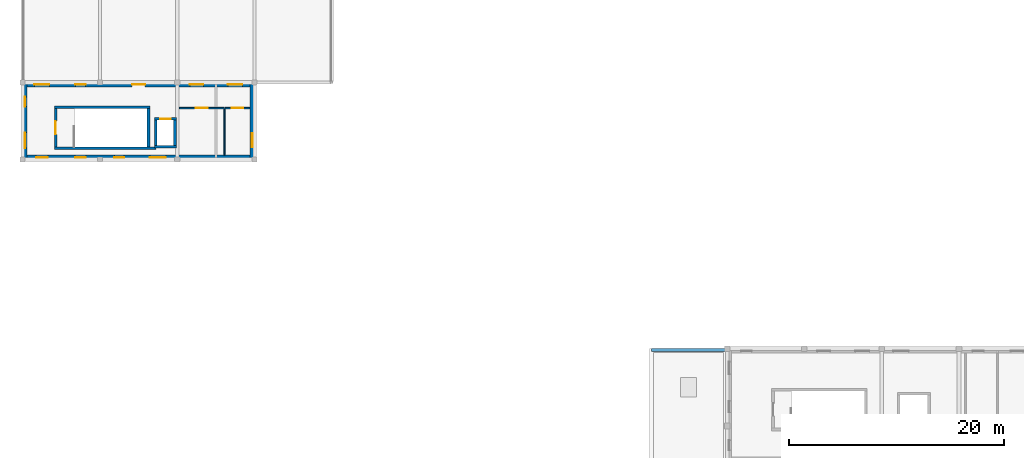
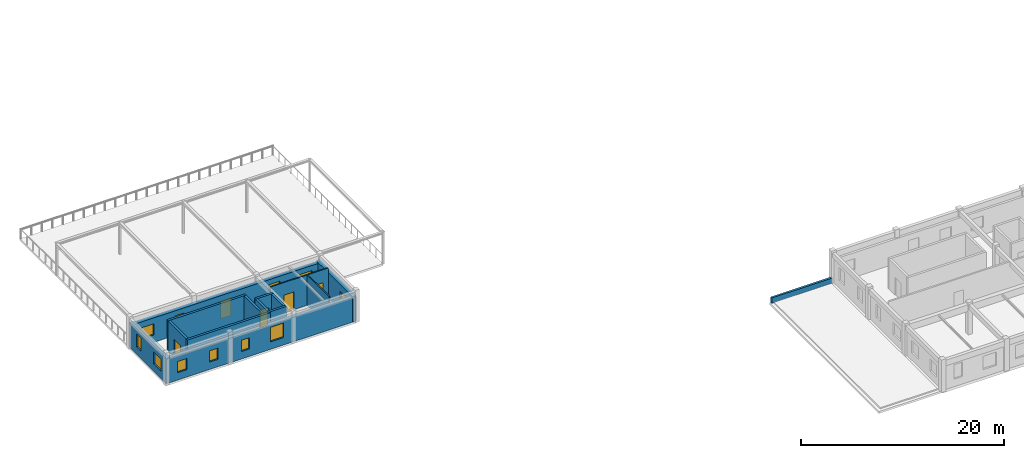
# One storey, part 8 of 20: 16 walls, 11 windows, 5 doors, 16 openings.
"""IFC4 building model written with IfcOpenShell, lengths in metres."""

from ifc_helpers import new_model, si_unit, direction, frame, frame_2d, origin, place, context, subcontext, project, spatial, rectangle, extrude, material, layer, layer_set, type_object, element, fill, save


model = new_model("IFC4")

# Units and contexts
model_context = context("Model", 3, precision=1e-05, world=origin(), true_north=direction((0.0, 1.0)))
body_context = subcontext(model_context, "Body", "Model", "MODEL_VIEW")
ifc_project = project(units=[si_unit("LENGTHUNIT", "METRE"), si_unit("AREAUNIT", "SQUARE_METRE"), si_unit("VOLUMEUNIT", "CUBIC_METRE"), si_unit("PLANEANGLEUNIT", "RADIAN"), si_unit("MASSUNIT", "GRAM", prefix="KILO")], contexts=[model_context])

# Site, building, storey
site_placement = place(None, origin())
site = spatial("IfcSite", under=ifc_project, at=site_placement, CompositionType="ELEMENT")
building_placement = place(site_placement, origin())
building = spatial("IfcBuilding", under=site, at=building_placement, Name="Bramveld Media Centre", CompositionType="ELEMENT")
storey_placement = place(building_placement, frame((0.0, 0.0, 18.0)))
storey = spatial("IfcBuildingStorey", under=building, at=storey_placement, Name="L04", CompositionType="ELEMENT", Elevation=18.0)

# Walls
ifc_material_1 = material(Name="Concrete C40/50 stair & lift core wall", Category="concrete")
ifc_layer_1 = layer(ifc_material_1, 0.25)
ifc_layer_set_1 = layer_set([ifc_layer_1], Name="Concrete C40/50 stair & lift core wall")
wall_type_1 = type_object("IfcWallType", Name="CWALL-SHEAR-250", PredefinedType="SHEAR", material=ifc_layer_set_1)
wall_1_placement = place(storey_placement, frame((2.949951171875, 40.27490234375, 0.0), z_axis=(0.0, 0.0, 1.0), x_axis=(1.0, 0.0, 0.0)))
element("IfcWall", 1, at=wall_1_placement, inside=storey, type_object=wall_type_1, Name="ST-04 L04 stair core shear wall S", PredefinedType="SHEAR", context=body_context, shape_type="SweptSolid", body=[
    extrude(rectangle(XDim=9.469970703125, YDim=0.25, at=frame_2d((4.73486328125, 0.0))), origin(), (0.0, 0.0, 1.0), 3.659912109375),
])
wall_2_placement = place(storey_placement, frame((11.85009765625, 44.074951171875, 0.0), z_axis=(0.0, 0.0, 1.0), x_axis=(-1.0, 0.0, 0.0)))
element("IfcWall", 2, at=wall_2_placement, inside=storey, type_object=wall_type_1, Name="ST-04 L04 stair core shear wall N", PredefinedType="SHEAR", context=body_context, shape_type="SweptSolid", body=[
    extrude(rectangle(XDim=8.900146484375, YDim=0.25, at=frame_2d((4.4501953125, 0.0))), origin(), (0.0, 0.0, 1.0), 3.659912109375),
])

# Wall, opening, door
wall_3_placement = place(storey_placement, frame((3.074951171875, 43.949951171875, 0.0), z_axis=(0.0, 0.0, 1.0), x_axis=(0.0, -1.0, 0.0)))
wall_3 = element("IfcWall", 3, at=wall_3_placement, inside=storey, type_object=wall_type_1, Name="ST-04 L04 stair core shear wall W", PredefinedType="SHEAR", context=body_context, shape_type="SweptSolid", body=[
    extrude(rectangle(XDim=3.550048828125, YDim=0.25, at=frame_2d((1.77490234375, 0.0))), origin(), (0.0, 0.0, 1.0), 3.659912109375),
])
opening_1_placement = place(wall_3_placement, frame((1.14990234375, 0.0, 0.0)))
opening_1 = element("IfcOpeningElement", 4, at=opening_1_placement, cuts=wall_3, Name="Opening SD-04-L04", PredefinedType="OPENING", context=body_context, shape_type="SweptSolid", body=[
    extrude(rectangle(XDim=1.25, YDim=2.14990234375, at=frame_2d((0.625, 1.074951171875))), frame((0.0, 0.136962890625, 0.0), z_axis=(0.0, -1.0, 0.0), x_axis=(1.0, 0.0, 0.0)), (0.0, 0.0, 1.0), 0.27392578125),
])
ifc_material_2 = material(Name="Painted galvanized steel acoustic fire door with intumescent smoke seals", Category="steel")
door_type_1 = type_object("IfcDoorType", Name="DR-ST-1250", OperationType="NOTDEFINED", PredefinedType="DOOR", material=ifc_material_2)
door_1_placement = place(opening_1_placement, origin())
door_1 = element("IfcDoor", 5, at=door_1_placement, inside=storey, type_object=door_type_1, Name="ST-04 L04 pressurized stair fire door", OperationType="SINGLE_SWING_RIGHT", OverallHeight=2.14990234375, OverallWidth=1.25, PredefinedType="DOOR", context=body_context, shape_type="SweptSolid", body=[
    extrude(rectangle(XDim=1.25, YDim=2.14990234375, at=frame_2d((0.625, 1.074951171875))), frame((0.0, 0.02490234375, 0.0), z_axis=(0.0, -1.0, 0.0), x_axis=(1.0, 0.0, 0.0)), (0.0, 0.0, 1.0), 0.050048828125),
])
fill(opening_1, door_1)

# Walls
wall_4_placement = place(storey_placement, frame((11.72509765625, 40.39990234375, 0.0), z_axis=(0.0, 0.0, 1.0), x_axis=(0.0, 1.0, 0.0)))
element("IfcWall", 6, at=wall_4_placement, inside=storey, type_object=wall_type_1, Name="ST-04 L04 stair core shear wall E", PredefinedType="SHEAR", context=body_context, shape_type="SweptSolid", body=[
    extrude(rectangle(XDim=3.550048828125, YDim=0.25, at=frame_2d((1.77490234375, 0.0))), origin(), (0.0, 0.0, 1.0), 3.659912109375),
])
wall_5_placement = place(storey_placement, frame((12.27490234375, 40.39990234375, 0.0), z_axis=(0.0, 0.0, 1.0), x_axis=(1.0, 0.0, 0.0)))
element("IfcWall", 7, at=wall_5_placement, inside=storey, type_object=wall_type_1, Name="PL-05 L04 lift shaft wall S", PredefinedType="SHEAR", context=body_context, shape_type="SweptSolid", body=[
    extrude(rectangle(XDim=2.050048828125, YDim=0.25, at=frame_2d((1.02490234375, 0.0))), origin(), (0.0, 0.0, 1.0), 3.659912109375),
])

# Wall, opening, door
wall_6_placement = place(storey_placement, frame((14.324951171875, 43.0, 0.0), z_axis=(0.0, 0.0, 1.0), x_axis=(-1.0, 0.0, 0.0)))
wall_6 = element("IfcWall", 8, at=wall_6_placement, inside=storey, type_object=wall_type_1, Name="PL-05 L04 lift shaft wall N", PredefinedType="SHEAR", context=body_context, shape_type="SweptSolid", body=[
    extrude(rectangle(XDim=2.050048828125, YDim=0.25, at=frame_2d((1.02490234375, 0.0))), origin(), (0.0, 0.0, 1.0), 3.659912109375),
])
opening_2_placement = place(wall_6_placement, frame((0.550048828125, 0.0, 0.0)))
opening_2 = element("IfcOpeningElement", 9, at=opening_2_placement, cuts=wall_6, Name="Opening LD-03-05-L04", PredefinedType="OPENING", context=body_context, shape_type="SweptSolid", body=[
    extrude(rectangle(XDim=0.949951171875, YDim=2.10009765625, at=frame_2d((0.47509765625, 1.050048828125))), frame((0.0, 0.136962890625, 0.0), z_axis=(0.0, -1.0, 0.0), x_axis=(1.0, 0.0, 0.0)), (0.0, 0.0, 1.0), 0.27392578125),
])
ifc_material_3 = material(Name="Brushed stainless steel automatic fire-rated sliding lift landing door", Category="steel")
door_type_2 = type_object("IfcDoorType", Name="LD-TYPE-03", OperationType="SLIDING_TO_LEFT", PredefinedType="DOOR", material=ifc_material_3)
door_2_placement = place(opening_2_placement, origin())
door_2 = element("IfcDoor", 10, at=door_2_placement, inside=storey, type_object=door_type_2, Name="PL-05 L04 sliding lift landing door", OperationType="SLIDING_TO_LEFT", OverallHeight=2.10009765625, OverallWidth=0.949951171875, PredefinedType="DOOR", context=body_context, shape_type="SweptSolid", body=[
    extrude(rectangle(XDim=0.949951171875, YDim=2.10009765625, at=frame_2d((0.47509765625, 1.050048828125))), frame((0.0, 0.02490234375, 0.0), z_axis=(0.0, -1.0, 0.0), x_axis=(1.0, 0.0, 0.0)), (0.0, 0.0, 1.0), 0.050048828125),
])
fill(opening_2, door_2)

# Walls
for number, where, z_axis, x_axis, name in (
    (11, (12.39990234375, 43.0, 0.0), (0.0, 0.0, 1.0), (0.0, -1.0, 0.0), "PL-05 L04 lift shaft wall W"),
    (12, (14.199951171875, 40.39990234375, 0.0), (0.0, 0.0, 1.0), (0.0, 1.0, 0.0), "PL-05 L04 lift shaft wall E"),
):
    element("IfcWall", number, at=place(storey_placement, frame(where, z_axis=z_axis, x_axis=x_axis)), inside=storey, type_object=wall_type_1, Name=name, PredefinedType="SHEAR", context=body_context, shape_type="SweptSolid", body=[
        extrude(rectangle(XDim=2.60009765625, YDim=0.25, at=frame_2d((1.300048828125, 0.0))), origin(), (0.0, 0.0, 1.0), 3.659912109375),
    ])

# Wall, openings, windows
ifc_material_4 = material(Name="Flemish red-brown clay facing brick cavity wall with concrete C35/45 inner leaf", Category="masonry")
ifc_layer_2 = layer(ifc_material_4, 0.419921875)
ifc_layer_set_2 = layer_set([ifc_layer_2], Name="Flemish red-brown clay facing brick cavity wall with concrete C35/45 inner leaf")
wall_type_2 = type_object("IfcWallType", Name="EW-BRK-420", PredefinedType="SOLIDWALL", material=ifc_layer_set_2)
wall_7_placement = place(storey_placement, frame((21.60009765625, 39.409912109375, 0.0), z_axis=(0.0, 0.0, 1.0), x_axis=(-1.0, 0.0, 0.0)))
wall_7 = element("IfcWall", 13, at=wall_7_placement, inside=storey, type_object=wall_type_2, Name="V3 L04 S facing brick exterior wall", PredefinedType="SOLIDWALL", context=body_context, shape_type="SweptSolid", body=[
    extrude(rectangle(XDim=21.60009765625, YDim=0.419921875, at=frame_2d((10.800048828125, 0.0))), origin(), (0.0, 0.0, 1.0), 2.955078125),
])
opening_3_placement = place(wall_7_placement, frame((8.25, 0.0, 0.89990234375)))
opening_3 = element("IfcOpeningElement", 14, at=opening_3_placement, cuts=wall_7, Name="Opening W-24", PredefinedType="OPENING", context=body_context, shape_type="SweptSolid", body=[
    extrude(rectangle(XDim=1.5, YDim=1.75, at=frame_2d((0.75, 0.875))), frame((0.0, 0.221923828125, 0.0), z_axis=(0.0, -1.0, 0.0), x_axis=(1.0, 0.0, 0.0)), (0.0, 0.0, 1.0), 0.44384765625),
])
opening_4_placement = place(wall_7_placement, frame((12.14990234375, 0.0, 0.89990234375)))
opening_4 = element("IfcOpeningElement", 15, at=opening_4_placement, cuts=wall_7, Name="Opening W-01", PredefinedType="OPENING", context=body_context, shape_type="SweptSolid", body=[
    extrude(rectangle(XDim=0.89990234375, YDim=1.35009765625, at=frame_2d((0.449951171875, 0.675048828125))), frame((0.0, 0.221923828125, 0.0), z_axis=(0.0, -1.0, 0.0), x_axis=(1.0, 0.0, 0.0)), (0.0, 0.0, 1.0), 0.44384765625),
])
opening_5_placement = place(wall_7_placement, frame((15.699951171875, 0.0, 0.89990234375)))
opening_5 = element("IfcOpeningElement", 16, at=opening_5_placement, cuts=wall_7, Name="Opening W-02", PredefinedType="OPENING", context=body_context, shape_type="SweptSolid", body=[
    extrude(rectangle(XDim=1.0, YDim=1.35009765625, at=frame_2d((0.5, 0.675048828125))), frame((0.0, 0.221923828125, 0.0), z_axis=(0.0, -1.0, 0.0), x_axis=(1.0, 0.0, 0.0)), (0.0, 0.0, 1.0), 0.44384765625),
])
opening_6_placement = place(wall_7_placement, frame((19.25, 0.0, 0.89990234375)))
opening_6 = element("IfcOpeningElement", 17, at=opening_6_placement, cuts=wall_7, Name="Opening W-03", PredefinedType="OPENING", context=body_context, shape_type="SweptSolid", body=[
    extrude(rectangle(XDim=1.10009765625, YDim=1.35009765625, at=frame_2d((0.550048828125, 0.675048828125))), frame((0.0, 0.221923828125, 0.0), z_axis=(0.0, -1.0, 0.0), x_axis=(1.0, 0.0, 0.0)), (0.0, 0.0, 1.0), 0.44384765625),
])
ifc_material_5 = material(Name="Thermally broken anodized bronze aluminium frame with triple acoustic glazing", Category="aluminium")
window_type_1 = type_object("IfcWindowType", Name="WIN-FAC-01", PartitioningType="SINGLE_PANEL", PredefinedType="WINDOW", material=ifc_material_5)
window_1_placement = place(opening_4_placement, origin())
window_1 = element("IfcWindow", 18, at=window_1_placement, inside=storey, type_object=window_type_1, Name="V3 L04 S acoustic facade window", OverallHeight=1.35009765625, OverallWidth=0.89990234375, PartitioningType="SINGLE_PANEL", PredefinedType="WINDOW", context=body_context, shape_type="SweptSolid", body=[
    extrude(rectangle(XDim=0.89990234375, YDim=1.35009765625, at=frame_2d((0.449951171875, 0.675048828125))), frame((0.0, 0.030029296875, 0.0), z_axis=(0.0, -1.0, 0.0), x_axis=(1.0, 0.0, 0.0)), (0.0, 0.0, 1.0), 0.06005859375),
])
fill(opening_4, window_1)
ifc_material_6 = material(Name="Thermally broken anodized bronze aluminium frame with triple acoustic glazing", Category="aluminium")
window_type_2 = type_object("IfcWindowType", Name="WIN-FAC-02", PartitioningType="SINGLE_PANEL", PredefinedType="WINDOW", material=ifc_material_6)
window_2_placement = place(opening_5_placement, origin())
window_2 = element("IfcWindow", 19, at=window_2_placement, inside=storey, type_object=window_type_2, Name="V3 L04 S acoustic facade window", OverallHeight=1.35009765625, OverallWidth=1.0, PartitioningType="SINGLE_PANEL", PredefinedType="WINDOW", context=body_context, shape_type="SweptSolid", body=[
    extrude(rectangle(XDim=1.0, YDim=1.35009765625, at=frame_2d((0.5, 0.675048828125))), frame((0.0, 0.030029296875, 0.0), z_axis=(0.0, -1.0, 0.0), x_axis=(1.0, 0.0, 0.0)), (0.0, 0.0, 1.0), 0.06005859375),
])
fill(opening_5, window_2)
ifc_material_7 = material(Name="Thermally broken anodized bronze aluminium frame with triple acoustic glazing", Category="aluminium")
window_type_3 = type_object("IfcWindowType", Name="WIN-FAC-03", PartitioningType="SINGLE_PANEL", PredefinedType="WINDOW", material=ifc_material_7)
window_3_placement = place(opening_6_placement, origin())
window_3 = element("IfcWindow", 20, at=window_3_placement, inside=storey, type_object=window_type_3, Name="V3 L04 S acoustic facade window", OverallHeight=1.35009765625, OverallWidth=1.10009765625, PartitioningType="SINGLE_PANEL", PredefinedType="WINDOW", context=body_context, shape_type="SweptSolid", body=[
    extrude(rectangle(XDim=1.10009765625, YDim=1.35009765625, at=frame_2d((0.550048828125, 0.675048828125))), frame((0.0, 0.030029296875, 0.0), z_axis=(0.0, -1.0, 0.0), x_axis=(1.0, 0.0, 0.0)), (0.0, 0.0, 1.0), 0.06005859375),
])
fill(opening_6, window_3)
ifc_material_8 = material(Name="Thermally broken anodized bronze aluminium frame with triple acoustic glazing", Category="aluminium")
window_type_4 = type_object("IfcWindowType", Name="WIN-FAC-24", PartitioningType="SINGLE_PANEL", PredefinedType="WINDOW", material=ifc_material_8)
window_4_placement = place(opening_3_placement, origin())
window_4 = element("IfcWindow", 21, at=window_4_placement, inside=storey, type_object=window_type_4, Name="V3 L04 S acoustic facade window", OverallHeight=1.75, OverallWidth=1.5, PartitioningType="SINGLE_PANEL", PredefinedType="WINDOW", context=body_context, shape_type="SweptSolid", body=[
    extrude(rectangle(XDim=1.5, YDim=1.75, at=frame_2d((0.75, 0.875))), frame((0.0, 0.030029296875, 0.0), z_axis=(0.0, -1.0, 0.0), x_axis=(1.0, 0.0, 0.0)), (0.0, 0.0, 1.0), 0.06005859375),
])
fill(opening_3, window_4)

# Wall, opening, window
wall_8_placement = place(storey_placement, frame((21.389892578125, 46.39990234375, 0.0), z_axis=(0.0, 0.0, 1.0), x_axis=(0.0, -1.0, 0.0)))
wall_8 = element("IfcWall", 22, at=wall_8_placement, inside=storey, type_object=wall_type_2, Name="V3 L04 E facing brick exterior wall", PredefinedType="SOLIDWALL", context=body_context, shape_type="SweptSolid", body=[
    extrude(rectangle(XDim=7.199951171875, YDim=0.419921875, at=frame_2d((3.60009765625, 0.0))), origin(), (0.0, 0.0, 1.0), 3.054931640625),
])
opening_7_placement = place(wall_8_placement, frame((4.75, 0.0, 0.89990234375)))
opening_7 = element("IfcOpeningElement", 23, at=opening_7_placement, cuts=wall_8, Name="Opening W-05", PredefinedType="OPENING", context=body_context, shape_type="SweptSolid", body=[
    extrude(rectangle(XDim=1.300048828125, YDim=1.35009765625, at=frame_2d((0.64990234375, 0.675048828125))), frame((0.0, 0.221923828125, 0.0), z_axis=(0.0, -1.0, 0.0), x_axis=(1.0, 0.0, 0.0)), (0.0, 0.0, 1.0), 0.44384765625),
])
ifc_material_9 = material(Name="Thermally broken anodized bronze aluminium frame with triple acoustic glazing", Category="aluminium")
window_type_5 = type_object("IfcWindowType", Name="WIN-FAC-05", PartitioningType="SINGLE_PANEL", PredefinedType="WINDOW", material=ifc_material_9)
window_5_placement = place(opening_7_placement, origin())
window_5 = element("IfcWindow", 24, at=window_5_placement, inside=storey, type_object=window_type_5, Name="V3 L04 E acoustic facade window", OverallHeight=1.35009765625, OverallWidth=1.300048828125, PartitioningType="SINGLE_PANEL", PredefinedType="WINDOW", context=body_context, shape_type="SweptSolid", body=[
    extrude(rectangle(XDim=1.300048828125, YDim=1.35009765625, at=frame_2d((0.64990234375, 0.675048828125))), frame((0.0, 0.030029296875, 0.0), z_axis=(0.0, -1.0, 0.0), x_axis=(1.0, 0.0, 0.0)), (0.0, 0.0, 1.0), 0.06005859375),
])
fill(opening_7, window_5)

# Wall, openings, door, windows
wall_9_placement = place(storey_placement, frame((0.0, 46.18994140625, 0.0), z_axis=(0.0, 0.0, 1.0), x_axis=(1.0, 0.0, 0.0)))
wall_9 = element("IfcWall", 25, at=wall_9_placement, inside=storey, type_object=wall_type_2, Name="V3 L04 N facing brick exterior wall", PredefinedType="SOLIDWALL", context=body_context, shape_type="SweptSolid", body=[
    extrude(rectangle(XDim=21.60009765625, YDim=0.419921875, at=frame_2d((10.800048828125, 0.0))), origin(), (0.0, 0.0, 1.0), 2.955078125),
])
opening_8_placement = place(wall_9_placement, frame((10.199951171875, 0.0, 0.0)))
opening_8 = element("IfcOpeningElement", 26, at=opening_8_placement, cuts=wall_9, Name="Opening TD-06", PredefinedType="OPENING", context=body_context, shape_type="SweptSolid", body=[
    extrude(rectangle(XDim=1.199951171875, YDim=2.14990234375, at=frame_2d((0.60009765625, 1.074951171875))), frame((0.0, 0.221923828125, 0.0), z_axis=(0.0, -1.0, 0.0), x_axis=(1.0, 0.0, 0.0)), (0.0, 0.0, 1.0), 0.44384765625),
])
opening_9_placement = place(wall_9_placement, frame((1.10009765625, 0.0, 0.89990234375)))
opening_9 = element("IfcOpeningElement", 27, at=opening_9_placement, cuts=wall_9, Name="Opening W-06", PredefinedType="OPENING", context=body_context, shape_type="SweptSolid", body=[
    extrude(rectangle(XDim=1.39990234375, YDim=1.35009765625, at=frame_2d((0.699951171875, 0.675048828125))), frame((0.0, 0.221923828125, 0.0), z_axis=(0.0, -1.0, 0.0), x_axis=(1.0, 0.0, 0.0)), (0.0, 0.0, 1.0), 0.44384765625),
])
opening_10_placement = place(wall_9_placement, frame((4.925048828125, 0.0, 0.89990234375)))
opening_10 = element("IfcOpeningElement", 28, at=opening_10_placement, cuts=wall_9, Name="Opening W-07", PredefinedType="OPENING", context=body_context, shape_type="SweptSolid", body=[
    extrude(rectangle(XDim=0.949951171875, YDim=1.449951171875, at=frame_2d((0.47509765625, 0.72509765625))), frame((0.0, 0.221923828125, 0.0), z_axis=(0.0, -1.0, 0.0), x_axis=(1.0, 0.0, 0.0)), (0.0, 0.0, 1.0), 0.44384765625),
])
opening_11_placement = place(wall_9_placement, frame((15.574951171875, 0.0, 0.89990234375)))
opening_11 = element("IfcOpeningElement", 29, at=opening_11_placement, cuts=wall_9, Name="Opening W-10", PredefinedType="OPENING", context=body_context, shape_type="SweptSolid", body=[
    extrude(rectangle(XDim=1.25, YDim=1.449951171875, at=frame_2d((0.625, 0.72509765625))), frame((0.0, 0.221923828125, 0.0), z_axis=(0.0, -1.0, 0.0), x_axis=(1.0, 0.0, 0.0)), (0.0, 0.0, 1.0), 0.44384765625),
])
opening_12_placement = place(wall_9_placement, frame((19.125, 0.0, 0.89990234375)))
opening_12 = element("IfcOpeningElement", 30, at=opening_12_placement, cuts=wall_9, Name="Opening W-11", PredefinedType="OPENING", context=body_context, shape_type="SweptSolid", body=[
    extrude(rectangle(XDim=1.35009765625, YDim=1.449951171875, at=frame_2d((0.675048828125, 0.72509765625))), frame((0.0, 0.221923828125, 0.0), z_axis=(0.0, -1.0, 0.0), x_axis=(1.0, 0.0, 0.0)), (0.0, 0.0, 1.0), 0.44384765625),
])
ifc_material_10 = material(Name="Insulated powder-coated bronze aluminium & laminated safety glass door", Category="aluminium")
door_type_3 = type_object("IfcDoorType", Name="DR-TER-1200", OperationType="NOTDEFINED", PredefinedType="DOOR", material=ifc_material_10)
door_3_placement = place(opening_8_placement, origin())
door_3 = element("IfcDoor", 31, at=door_3_placement, inside=storey, type_object=door_type_3, Name="Exterior door TD-06", OperationType="SINGLE_SWING_RIGHT", OverallHeight=2.14990234375, OverallWidth=1.199951171875, PredefinedType="DOOR", context=body_context, shape_type="SweptSolid", body=[
    extrude(rectangle(XDim=1.199951171875, YDim=2.14990234375, at=frame_2d((0.60009765625, 1.074951171875))), frame((0.0, 0.02490234375, 0.0), z_axis=(0.0, -1.0, 0.0), x_axis=(1.0, 0.0, 0.0)), (0.0, 0.0, 1.0), 0.050048828125),
])
fill(opening_8, door_3)
ifc_material_11 = material(Name="Thermally broken anodized bronze aluminium frame with triple acoustic glazing", Category="aluminium")
window_type_6 = type_object("IfcWindowType", Name="WIN-FAC-06", PartitioningType="SINGLE_PANEL", PredefinedType="WINDOW", material=ifc_material_11)
window_6_placement = place(opening_9_placement, origin())
window_6 = element("IfcWindow", 32, at=window_6_placement, inside=storey, type_object=window_type_6, Name="V3 L04 N acoustic facade window", OverallHeight=1.35009765625, OverallWidth=1.39990234375, PartitioningType="SINGLE_PANEL", PredefinedType="WINDOW", context=body_context, shape_type="SweptSolid", body=[
    extrude(rectangle(XDim=1.39990234375, YDim=1.35009765625, at=frame_2d((0.699951171875, 0.675048828125))), frame((0.0, 0.030029296875, 0.0), z_axis=(0.0, -1.0, 0.0), x_axis=(1.0, 0.0, 0.0)), (0.0, 0.0, 1.0), 0.06005859375),
])
fill(opening_9, window_6)
ifc_material_12 = material(Name="Thermally broken anodized bronze aluminium frame with triple acoustic glazing", Category="aluminium")
window_type_7 = type_object("IfcWindowType", Name="WIN-FAC-07", PartitioningType="SINGLE_PANEL", PredefinedType="WINDOW", material=ifc_material_12)
window_7_placement = place(opening_10_placement, origin())
window_7 = element("IfcWindow", 33, at=window_7_placement, inside=storey, type_object=window_type_7, Name="V3 L04 N acoustic facade window", OverallHeight=1.449951171875, OverallWidth=0.949951171875, PartitioningType="SINGLE_PANEL", PredefinedType="WINDOW", context=body_context, shape_type="SweptSolid", body=[
    extrude(rectangle(XDim=0.949951171875, YDim=1.449951171875, at=frame_2d((0.47509765625, 0.72509765625))), frame((0.0, 0.030029296875, 0.0), z_axis=(0.0, -1.0, 0.0), x_axis=(1.0, 0.0, 0.0)), (0.0, 0.0, 1.0), 0.06005859375),
])
fill(opening_10, window_7)
ifc_material_13 = material(Name="Thermally broken anodized bronze aluminium frame with triple acoustic glazing", Category="aluminium")
window_type_8 = type_object("IfcWindowType", Name="WIN-FAC-10", PartitioningType="SINGLE_PANEL", PredefinedType="WINDOW", material=ifc_material_13)
window_8_placement = place(opening_11_placement, origin())
window_8 = element("IfcWindow", 34, at=window_8_placement, inside=storey, type_object=window_type_8, Name="V3 L04 N acoustic facade window", OverallHeight=1.449951171875, OverallWidth=1.25, PartitioningType="SINGLE_PANEL", PredefinedType="WINDOW", context=body_context, shape_type="SweptSolid", body=[
    extrude(rectangle(XDim=1.25, YDim=1.449951171875, at=frame_2d((0.625, 0.72509765625))), frame((0.0, 0.030029296875, 0.0), z_axis=(0.0, -1.0, 0.0), x_axis=(1.0, 0.0, 0.0)), (0.0, 0.0, 1.0), 0.06005859375),
])
fill(opening_11, window_8)
ifc_material_14 = material(Name="Thermally broken anodized bronze aluminium frame with triple acoustic glazing", Category="aluminium")
window_type_9 = type_object("IfcWindowType", Name="WIN-FAC-11", PartitioningType="SINGLE_PANEL", PredefinedType="WINDOW", material=ifc_material_14)
window_9_placement = place(opening_12_placement, origin())
window_9 = element("IfcWindow", 35, at=window_9_placement, inside=storey, type_object=window_type_9, Name="V3 L04 N acoustic facade window", OverallHeight=1.449951171875, OverallWidth=1.35009765625, PartitioningType="SINGLE_PANEL", PredefinedType="WINDOW", context=body_context, shape_type="SweptSolid", body=[
    extrude(rectangle(XDim=1.35009765625, YDim=1.449951171875, at=frame_2d((0.675048828125, 0.72509765625))), frame((0.0, 0.030029296875, 0.0), z_axis=(0.0, -1.0, 0.0), x_axis=(1.0, 0.0, 0.0)), (0.0, 0.0, 1.0), 0.06005859375),
])
fill(opening_12, window_9)

# Wall, openings, windows
wall_10_placement = place(storey_placement, frame((0.2099609375, 39.199951171875, 0.0), z_axis=(0.0, 0.0, 1.0), x_axis=(0.0, 1.0, 0.0)))
wall_10 = element("IfcWall", 36, at=wall_10_placement, inside=storey, type_object=wall_type_2, Name="V3 L04 W facing brick exterior wall", PredefinedType="SOLIDWALL", context=body_context, shape_type="SweptSolid", body=[
    extrude(rectangle(XDim=7.199951171875, YDim=0.419921875, at=frame_2d((3.60009765625, 0.0))), origin(), (0.0, 0.0, 1.0), 3.054931640625),
])
opening_13_placement = place(wall_10_placement, frame((1.074951171875, 0.0, 0.89990234375)))
opening_13 = element("IfcOpeningElement", 37, at=opening_13_placement, cuts=wall_10, Name="Opening W-12", PredefinedType="OPENING", context=body_context, shape_type="SweptSolid", body=[
    extrude(rectangle(XDim=1.449951171875, YDim=1.449951171875, at=frame_2d((0.72509765625, 0.72509765625))), frame((0.0, 0.221923828125, 0.0), z_axis=(0.0, -1.0, 0.0), x_axis=(1.0, 0.0, 0.0)), (0.0, 0.0, 1.0), 0.44384765625),
])
opening_14_placement = place(wall_10_placement, frame((4.949951171875, 0.0, 0.89990234375)))
opening_14 = element("IfcOpeningElement", 38, at=opening_14_placement, cuts=wall_10, Name="Opening W-13", PredefinedType="OPENING", context=body_context, shape_type="SweptSolid", body=[
    extrude(rectangle(XDim=0.89990234375, YDim=1.60009765625, at=frame_2d((0.449951171875, 0.800048828125))), frame((0.0, 0.221923828125, 0.0), z_axis=(0.0, -1.0, 0.0), x_axis=(1.0, 0.0, 0.0)), (0.0, 0.0, 1.0), 0.44384765625),
])
ifc_material_15 = material(Name="Thermally broken anodized bronze aluminium frame with triple acoustic glazing", Category="aluminium")
window_type_10 = type_object("IfcWindowType", Name="WIN-FAC-12", PartitioningType="SINGLE_PANEL", PredefinedType="WINDOW", material=ifc_material_15)
window_10_placement = place(opening_13_placement, origin())
window_10 = element("IfcWindow", 39, at=window_10_placement, inside=storey, type_object=window_type_10, Name="V3 L04 W acoustic facade window", OverallHeight=1.449951171875, OverallWidth=1.449951171875, PartitioningType="SINGLE_PANEL", PredefinedType="WINDOW", context=body_context, shape_type="SweptSolid", body=[
    extrude(rectangle(XDim=1.449951171875, YDim=1.449951171875, at=frame_2d((0.72509765625, 0.72509765625))), frame((0.0, 0.030029296875, 0.0), z_axis=(0.0, -1.0, 0.0), x_axis=(1.0, 0.0, 0.0)), (0.0, 0.0, 1.0), 0.06005859375),
])
fill(opening_13, window_10)
ifc_material_16 = material(Name="Thermally broken anodized bronze aluminium frame with triple acoustic glazing", Category="aluminium")
window_type_11 = type_object("IfcWindowType", Name="WIN-FAC-13", PartitioningType="SINGLE_PANEL", PredefinedType="WINDOW", material=ifc_material_16)
window_11_placement = place(opening_14_placement, origin())
window_11 = element("IfcWindow", 40, at=window_11_placement, inside=storey, type_object=window_type_11, Name="V3 L04 W acoustic facade window", OverallHeight=1.60009765625, OverallWidth=0.89990234375, PartitioningType="SINGLE_PANEL", PredefinedType="WINDOW", context=body_context, shape_type="SweptSolid", body=[
    extrude(rectangle(XDim=0.89990234375, YDim=1.60009765625, at=frame_2d((0.449951171875, 0.800048828125))), frame((0.0, 0.030029296875, 0.0), z_axis=(0.0, -1.0, 0.0), x_axis=(1.0, 0.0, 0.0)), (0.0, 0.0, 1.0), 0.06005859375),
])
fill(opening_14, window_11)

# Wall, opening, door
ifc_material_17 = material(Name="Lightweight acoustic stud partition", Category="gypsum")
ifc_layer_3 = layer(ifc_material_17, 0.125)
ifc_layer_set_3 = layer_set([ifc_layer_3], Name="Lightweight acoustic stud partition")
wall_type_3 = type_object("IfcWallType", Name="IW-PART-125", PredefinedType="PARTITIONING", material=ifc_layer_set_3)
wall_11_placement = place(storey_placement, frame((14.60009765625, 44.0, 0.0), z_axis=(0.0, 0.0, 1.0), x_axis=(1.0, 0.0, 0.0)))
wall_11 = element("IfcWall", 41, at=wall_11_placement, inside=storey, type_object=wall_type_3, Name="Screen 9 Pavilion Micro-Cinema partition wall", PredefinedType="PARTITIONING", context=body_context, shape_type="SweptSolid", body=[
    extrude(rectangle(XDim=4.199951171875, YDim=0.125, at=frame_2d((2.10009765625, 0.0))), origin(), (0.0, 0.0, 1.0), 3.659912109375),
])
opening_15_placement = place(wall_11_placement, frame((1.510009765625, 0.0, 0.0)))
opening_15 = element("IfcOpeningElement", 42, at=opening_15_placement, cuts=wall_11, Name="Opening D-04-170", PredefinedType="OPENING", context=body_context, shape_type="SweptSolid", body=[
    extrude(rectangle(XDim=1.1201171875, YDim=2.14990234375, at=frame_2d((0.56005859375, 1.074951171875))), frame((0.0, 0.074462890625, 0.0), z_axis=(0.0, -1.0, 0.0), x_axis=(1.0, 0.0, 0.0)), (0.0, 0.0, 1.0), 0.14892578125),
])
ifc_material_18 = material(Name="Solid-core European oak acoustic timber leaf in steel frame", Category="steel")
door_type_4 = type_object("IfcDoorType", Name="DR-RM-1120", OperationType="NOTDEFINED", PredefinedType="DOOR", material=ifc_material_18)
door_4_placement = place(opening_15_placement, origin())
door_4 = element("IfcDoor", 43, at=door_4_placement, inside=storey, type_object=door_type_4, Name="Screen 9 Pavilion Micro-Cinema entrance door", OperationType="SINGLE_SWING_RIGHT", OverallHeight=2.14990234375, OverallWidth=1.1201171875, PredefinedType="DOOR", context=body_context, shape_type="SweptSolid", body=[
    extrude(rectangle(XDim=1.1201171875, YDim=2.14990234375, at=frame_2d((0.56005859375, 1.074951171875))), frame((0.0, 0.02490234375, 0.0), z_axis=(0.0, -1.0, 0.0), x_axis=(1.0, 0.0, 0.0)), (0.0, 0.0, 1.0), 0.050048828125),
])
fill(opening_15, door_4)

# Wall
wall_12_placement = place(storey_placement, frame((18.800048828125, 39.6298828125, 0.0), z_axis=(0.0, 0.0, 1.0), x_axis=(0.0, 1.0, 0.0)))
element("IfcWall", 44, at=wall_12_placement, inside=storey, type_object=wall_type_3, Name="Screen 9 Pavilion Micro-Cinema partition wall", PredefinedType="PARTITIONING", context=body_context, shape_type="SweptSolid", body=[
    extrude(rectangle(XDim=4.297607421875, YDim=0.125, at=frame_2d((2.14892578125, 0.0))), origin(), (0.0, 0.0, 1.0), 3.659912109375),
])

# Wall, opening, door
ifc_material_19 = material(Name="Moisture-resistant cement-board sanitary partition", Category="gypsum")
ifc_layer_4 = layer(ifc_material_19, 0.139892578125)
ifc_layer_set_4 = layer_set([ifc_layer_4], Name="Moisture-resistant cement-board sanitary partition")
wall_type_4 = type_object("IfcWallType", Name="IW-WET-140", PredefinedType="PARTITIONING", material=ifc_layer_set_4)
wall_13_placement = place(storey_placement, frame((18.87255859375, 44.0, 0.0), z_axis=(0.0, 0.0, 1.0), x_axis=(1.0, 0.0, 0.0)))
wall_13 = element("IfcWall", 45, at=wall_13_placement, inside=storey, type_object=wall_type_4, Name="Accessible WC partition wall", PredefinedType="PARTITIONING", context=body_context, shape_type="SweptSolid", body=[
    extrude(rectangle(XDim=2.29736328125, YDim=0.139892578125, at=frame_2d((1.148681640625, 0.0))), origin(), (0.0, 0.0, 1.0), 3.659912109375),
])
opening_16_placement = place(wall_13_placement, frame((0.618896484375, 0.0, 0.0)))
opening_16 = element("IfcOpeningElement", 46, at=opening_16_placement, cuts=wall_13, Name="Opening D-04-171", PredefinedType="OPENING", context=body_context, shape_type="SweptSolid", body=[
    extrude(rectangle(XDim=1.06005859375, YDim=2.10009765625, at=frame_2d((0.530029296875, 1.050048828125))), frame((0.0, 0.08203125, 0.0), z_axis=(0.0, -1.0, 0.0), x_axis=(1.0, 0.0, 0.0)), (0.0, 0.0, 1.0), 0.163818359375),
])
ifc_material_20 = material(Name="Solid-core European oak acoustic timber leaf in steel frame", Category="steel")
door_type_5 = type_object("IfcDoorType", Name="DR-WC-PMR-1060", OperationType="NOTDEFINED", PredefinedType="DOOR", material=ifc_material_20)
door_5_placement = place(opening_16_placement, origin())
door_5 = element("IfcDoor", 47, at=door_5_placement, inside=storey, type_object=door_type_5, Name="Accessible WC entrance door", OperationType="SINGLE_SWING_LEFT", OverallHeight=2.10009765625, OverallWidth=1.06005859375, PredefinedType="DOOR", context=body_context, shape_type="SweptSolid", body=[
    extrude(rectangle(XDim=1.06005859375, YDim=2.10009765625, at=frame_2d((0.530029296875, 1.050048828125))), frame((0.0, 0.02490234375, 0.0), z_axis=(0.0, -1.0, 0.0), x_axis=(1.0, 0.0, 0.0)), (0.0, 0.0, 1.0), 0.050048828125),
])
fill(opening_16, door_5)

# Wall
ifc_material_21 = material(Name="Precast concrete C40/50 capped brick roof parapet", Category="masonry")
ifc_layer_5 = layer(ifc_material_21, 0.239990234375)
ifc_layer_set_5 = layer_set([ifc_layer_5], Name="Precast concrete C40/50 capped brick roof parapet")
wall_type_5 = type_object("IfcWallType", Name="PARAPET-240", PredefinedType="PARAPET", material=ifc_layer_set_5)
wall_14_placement = place(storey_placement, frame((58.550048828125, 21.47998046875, 0.0), z_axis=(0.0, 0.0, 1.0), x_axis=(1.0, 0.0, 0.0)))
element("IfcWall", 48, at=wall_14_placement, inside=storey, type_object=wall_type_5, Name="V5 L04 roof parapet upstand", PredefinedType="PARAPET", context=body_context, shape_type="SweptSolid", body=[
    extrude(rectangle(XDim=6.89990234375, YDim=0.239990234375, at=frame_2d((3.449951171875, 0.0))), origin(), (0.0, 0.0, 1.0), 0.64990234375),
])

save(model, "model.ifc")
